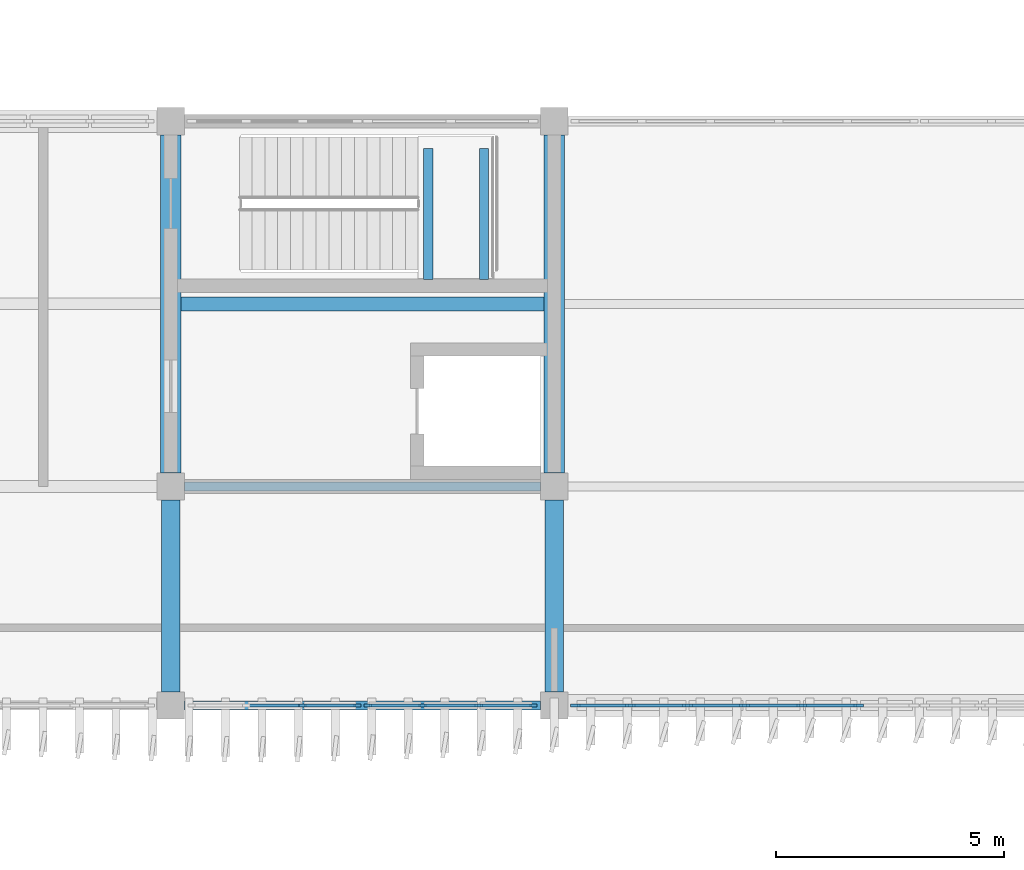
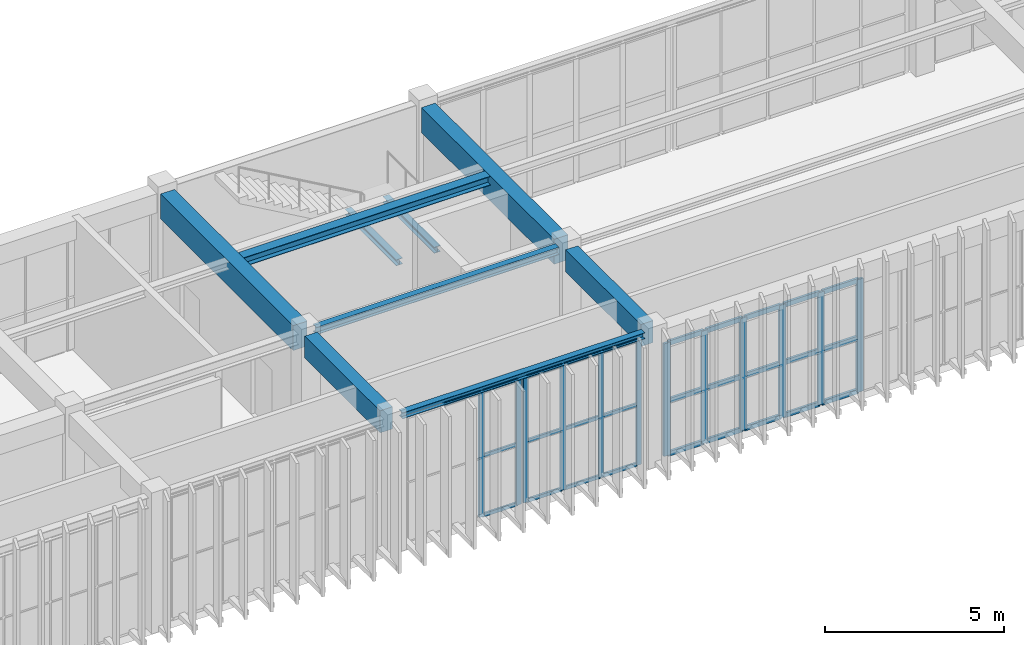
# One storey, part 13 of 64: 40 members, 9 beams, 3 elements without a shape of their own.
"""IFC4 building model written with IfcOpenShell, lengths in metres."""

from ifc_helpers import new_model, si_unit, direction, frame, origin, origin_2d, place, context, subcontext, project, spatial, rectangle, i_section, extrude, material, layer, layer_set, material_profile, profile_set, type_object, element, aggregate, save


model = new_model("IFC4")

# Units and contexts
model_context = context("Model", 3, precision=1e-05, world=origin(), true_north=direction((0.0, 1.0)))
body_context = subcontext(model_context, "Body", "Model", "MODEL_VIEW")
ifc_project = project(units=[si_unit("LENGTHUNIT", "METRE"), si_unit("AREAUNIT", "SQUARE_METRE"), si_unit("VOLUMEUNIT", "CUBIC_METRE"), si_unit("PLANEANGLEUNIT", "RADIAN"), si_unit("MASSUNIT", "GRAM", prefix="KILO")], contexts=[model_context])

# Site, building, storey
site_placement = place(None, origin())
site = spatial("IfcSite", under=ifc_project, at=site_placement, CompositionType="ELEMENT")
building_placement = place(site_placement, origin())
building = spatial("IfcBuilding", under=site, at=building_placement, Name="Cinchona Park Media Centre", CompositionType="ELEMENT")
storey_placement = place(building_placement, frame((0.0, 0.0, 5.39990234375)))
storey = spatial("IfcBuildingStorey", under=building, at=storey_placement, Name="L01", CompositionType="ELEMENT", Elevation=5.39990234375)

# Beams
ifc_material_1 = material(Name="Concrete C35/45", Category="concrete")
ifc_material_profile_1 = material_profile(ifc_material_1, rectangle(XDim=0.39990234375, YDim=0.75, at=origin_2d()), Name="RB 400X750")
ifc_profile_set_1 = profile_set([ifc_material_profile_1], Name="Concrete C35/45")
beam_type_1 = type_object("IfcBeamType", Name="BEAM-B01-RB400X750", PredefinedType="BEAM", material=ifc_profile_set_1)
for number, where, z_axis, x_axis, name in (
    (1, (86.39990234375, 75.10009765625, 4.1650390625), (0.0, 1.0, 0.0), (-1.0, 0.0, 0.0), "Girder B01 L01"),
    (2, (94.800048828125, 75.10009765625, 4.1650390625), (0.0, 1.0, 0.0), (-1.0, 0.0, 0.0), "Girder B01 L01"),
):
    element("IfcBeam", number, at=place(storey_placement, frame(where, z_axis=z_axis, x_axis=x_axis)), inside=storey, type_object=beam_type_1, Name=name, PredefinedType="BEAM", context=body_context, shape_type="SweptSolid", body=[
        extrude(rectangle(XDim=0.39990234375, YDim=0.75, at=origin_2d()), origin(), (0.0, 0.0, 1.0), 4.199951171875),
    ])
ifc_material_2 = material(Name="Concrete C35/45", Category="concrete")
ifc_material_profile_2 = material_profile(ifc_material_2, rectangle(XDim=0.449951171875, YDim=0.85009765625, at=origin_2d()), Name="RB 450X850")
ifc_profile_set_2 = profile_set([ifc_material_profile_2], Name="Concrete C35/45")
beam_type_2 = type_object("IfcBeamType", Name="BEAM-B02-RB450X850", PredefinedType="BEAM", material=ifc_profile_set_2)
for number, where, z_axis, x_axis, name in (
    (3, (86.39990234375, 79.89990234375, 4.114990234375), (0.0, 1.0, 0.0), (-1.0, 0.0, 0.0), "Girder B02 L01"),
    (4, (94.800048828125, 79.89990234375, 4.114990234375), (0.0, 1.0, 0.0), (-1.0, 0.0, 0.0), "Girder B02 L01"),
):
    element("IfcBeam", number, at=place(storey_placement, frame(where, z_axis=z_axis, x_axis=x_axis)), inside=storey, type_object=beam_type_2, Name=name, PredefinedType="BEAM", context=body_context, shape_type="SweptSolid", body=[
        extrude(rectangle(XDim=0.449951171875, YDim=0.85009765625, at=origin_2d()), origin(), (0.0, 0.0, 1.0), 7.400146484375),
    ])
ifc_material_3 = material(Name="Steel S355", Category="steel")
ifc_material_profile_3 = material_profile(ifc_material_3, i_section(OverallWidth=0.202880859375, OverallDepth=0.251953125, WebThickness=0.008056640625, FlangeThickness=0.013427734375, at=origin_2d()), Name="W250X58")
ifc_profile_set_3 = profile_set([ifc_material_profile_3], Name="Steel S355")
beam_type_3 = type_object("IfcBeamType", Name="BEAM-B09-W250X58", PredefinedType="BEAM", material=ifc_profile_set_3)
beam_1_placement = place(storey_placement, frame((86.699951171875, 79.60009765625, 4.4140625), z_axis=(1.0, 0.0, 0.0), x_axis=(0.0, 1.0, 0.0)))
element("IfcBeam", 5, at=beam_1_placement, inside=storey, type_object=beam_type_3, Name="Beam B09 L01", PredefinedType="BEAM", context=body_context, shape_type="SweptSolid", body=[
    extrude(i_section(OverallWidth=0.202880859375, OverallDepth=0.251953125, WebThickness=0.008056640625, FlangeThickness=0.013427734375, at=origin_2d()), origin(), (0.0, 0.0, 1.0), 7.800048828125),
])
ifc_material_4 = material(Name="Steel S355", Category="steel")
ifc_material_profile_4 = material_profile(ifc_material_4, i_section(OverallWidth=0.202880859375, OverallDepth=0.202880859375, WebThickness=0.007080078125, FlangeThickness=0.010986328125, at=origin_2d()), Name="W200X46")
ifc_profile_set_4 = profile_set([ifc_material_profile_4], Name="Steel S355")
beam_type_4 = type_object("IfcBeamType", Name="BEAM-B10-W200X46", PredefinedType="BEAM", material=ifc_profile_set_4)
beam_2_placement = place(storey_placement, frame((86.699951171875, 74.800048828125, 4.4384765625), z_axis=(1.0, 0.0, 0.0), x_axis=(0.0, 1.0, 0.0)))
element("IfcBeam", 6, at=beam_2_placement, inside=storey, type_object=beam_type_4, Name="Beam B10 L01", PredefinedType="BEAM", context=body_context, shape_type="SweptSolid", body=[
    extrude(i_section(OverallWidth=0.202880859375, OverallDepth=0.202880859375, WebThickness=0.007080078125, FlangeThickness=0.010986328125, at=origin_2d()), origin(), (0.0, 0.0, 1.0), 7.800048828125),
])
for number, where, z_axis, x_axis, name in (
    (7, (92.0400390625, 84.1298828125, 2.093505859375), (0.0, 1.0, 0.0), (-1.0, 0.0, 0.0), "Stair Landing Bearer Beam B10 ST5 L01"),
    (8, (93.260009765625, 84.1298828125, 2.093505859375), (0.0, 1.0, 0.0), (-1.0, 0.0, 0.0), "Stair Landing Bearer Beam B10 ST5 L01"),
):
    element("IfcBeam", number, at=place(storey_placement, frame(where, z_axis=z_axis, x_axis=x_axis)), inside=storey, type_object=beam_type_4, Name=name, PredefinedType="BEAM", context=body_context, shape_type="SweptSolid", body=[
        extrude(i_section(OverallWidth=0.202880859375, OverallDepth=0.202880859375, WebThickness=0.007080078125, FlangeThickness=0.010986328125, at=origin_2d()), origin(), (0.0, 0.0, 1.0), 2.8701171875),
    ])
ifc_material_5 = material(Name="Steel S355", Category="steel")
ifc_material_profile_5 = material_profile(ifc_material_5, i_section(OverallWidth=0.304931640625, OverallDepth=0.30810546875, WebThickness=0.010009765625, FlangeThickness=0.015380859375, at=origin_2d()), Name="W310X97")
ifc_profile_set_5 = profile_set([ifc_material_profile_5], Name="Steel S355")
beam_type_5 = type_object("IfcBeamType", Name="BEAM-J02-W310X97", PredefinedType="JOIST", material=ifc_profile_set_5)
beam_3_placement = place(storey_placement, frame((86.625, 83.60009765625, 4.385986328125), z_axis=(1.0, 0.0, 0.0), x_axis=(0.0, 1.0, 0.0)))
element("IfcBeam", 9, at=beam_3_placement, inside=storey, type_object=beam_type_5, Name="Floor Joist J02 L01", PredefinedType="JOIST", context=body_context, shape_type="SweptSolid", body=[
    extrude(i_section(OverallWidth=0.304931640625, OverallDepth=0.30810546875, WebThickness=0.010009765625, FlangeThickness=0.015380859375, at=origin_2d()), origin(), (0.0, 0.0, 1.0), 7.949951171875),
])

# Curtain wall, members
ifc_material_6 = material(Name="Aluminium Curtain Wall Framing", Category="aluminium")
ifc_layer_1 = layer(ifc_material_6, 0.179931640625)
ifc_layer_set_1 = layer_set([ifc_layer_1], Name="Aluminium Curtain Wall Framing")
curtain_wall_type_1 = type_object("IfcCurtainWallType", Name="CW-CW01", PredefinedType="USERDEFINED", material=ifc_layer_set_1)
curtain_wall_1_placement = place(storey_placement, origin())
curtain_wall_1 = element("IfcCurtainWall", 10, at=curtain_wall_1_placement, inside=storey, type_object=curtain_wall_type_1, Name="Curtain Wall CW01 L01", ObjectType="UNITISED CURTAIN WALL", PredefinedType="USERDEFINED")
ifc_material_7 = material(Name="Anodised Aluminium Alloy 6063-T6", Category="aluminium")
ifc_material_profile_6 = material_profile(ifc_material_7, rectangle(XDim=0.06494140625, YDim=0.159912109375, at=origin_2d()), Name="MUL-65X160")
ifc_profile_set_6 = profile_set([ifc_material_profile_6], Name="Anodised Aluminium Alloy 6063-T6")
member_type_1 = type_object("IfcMemberType", Name="MULLION-MUL01", PredefinedType="MULLION", material=ifc_profile_set_6)
member_1_placement = place(storey_placement, frame((94.347412109375, 74.800048828125, 0.050048828125), z_axis=(0.0, 0.0, 1.0), x_axis=(0.0, -1.0, 0.0)))
member_1 = element("IfcMember", 11, at=member_1_placement, type_object=member_type_1, Name="CW01 mullion 1", PredefinedType="MULLION", context=body_context, shape_type="SweptSolid", body=[
    extrude(rectangle(XDim=0.06494140625, YDim=0.159912109375, at=origin_2d()), origin(), (0.0, 0.0, 1.0), 4.287109375),
])
member_2_placement = place(storey_placement, frame((93.146728515625, 74.800048828125, 0.050048828125), z_axis=(0.0, 0.0, 1.0), x_axis=(0.0, -1.0, 0.0)))
member_2 = element("IfcMember", 12, at=member_2_placement, type_object=member_type_1, Name="CW01 mullion 2", PredefinedType="MULLION", context=body_context, shape_type="SweptSolid", body=[
    extrude(rectangle(XDim=0.06494140625, YDim=0.159912109375, at=origin_2d()), origin(), (0.0, 0.0, 1.0), 4.287109375),
])
member_3_placement = place(storey_placement, frame((91.913330078125, 74.800048828125, 0.050048828125), z_axis=(0.0, 0.0, 1.0), x_axis=(0.0, -1.0, 0.0)))
member_3 = element("IfcMember", 13, at=member_3_placement, type_object=member_type_1, Name="CW01 mullion 3", PredefinedType="MULLION", context=body_context, shape_type="SweptSolid", body=[
    extrude(rectangle(XDim=0.06494140625, YDim=0.159912109375, at=origin_2d()), origin(), (0.0, 0.0, 1.0), 4.287109375),
])
member_4_placement = place(storey_placement, frame((90.71240234375, 74.800048828125, 0.050048828125), z_axis=(0.0, 0.0, 1.0), x_axis=(0.0, -1.0, 0.0)))
member_4 = element("IfcMember", 14, at=member_4_placement, type_object=member_type_1, Name="CW01 mullion 4", PredefinedType="MULLION", context=body_context, shape_type="SweptSolid", body=[
    extrude(rectangle(XDim=0.06494140625, YDim=0.159912109375, at=origin_2d()), origin(), (0.0, 0.0, 1.0), 4.287109375),
])

ifc_material_8 = material(Name="Aluminium Curtain Wall Framing", Category="aluminium")
ifc_layer_2 = layer(ifc_material_8, 0.195068359375)
ifc_layer_set_2 = layer_set([ifc_layer_2], Name="Aluminium Curtain Wall Framing")
curtain_wall_type_2 = type_object("IfcCurtainWallType", Name="CW-CW02", PredefinedType="USERDEFINED", material=ifc_layer_set_2)
curtain_wall_2_placement = place(storey_placement, origin())
curtain_wall_2 = element("IfcCurtainWall", 15, at=curtain_wall_2_placement, inside=storey, type_object=curtain_wall_type_2, Name="Curtain Wall CW02 L01", ObjectType="UNITISED CURTAIN WALL", PredefinedType="USERDEFINED")
member_5_placement = place(storey_placement, frame((90.487548828125, 74.800048828125, 0.050048828125), z_axis=(0.0, 0.0, 1.0), x_axis=(0.0, -1.0, 0.0)))
member_5 = element("IfcMember", 16, at=member_5_placement, type_object=member_type_1, Name="CW02 mullion 1", PredefinedType="MULLION", context=body_context, shape_type="SweptSolid", body=[
    extrude(rectangle(XDim=0.06494140625, YDim=0.159912109375, at=origin_2d()), origin(), (0.0, 0.0, 1.0), 4.287109375),
])
member_6_placement = place(storey_placement, frame((89.28662109375, 74.800048828125, 0.050048828125), z_axis=(0.0, 0.0, 1.0), x_axis=(0.0, -1.0, 0.0)))
member_6 = element("IfcMember", 17, at=member_6_placement, type_object=member_type_1, Name="CW02 mullion 2", PredefinedType="MULLION", context=body_context, shape_type="SweptSolid", body=[
    extrude(rectangle(XDim=0.06494140625, YDim=0.159912109375, at=origin_2d()), origin(), (0.0, 0.0, 1.0), 4.287109375),
])

ifc_material_9 = material(Name="Aluminium Curtain Wall Framing", Category="aluminium")
ifc_layer_3 = layer(ifc_material_9, 0.22509765625)
ifc_layer_set_3 = layer_set([ifc_layer_3], Name="Aluminium Curtain Wall Framing")
curtain_wall_type_3 = type_object("IfcCurtainWallType", Name="CW-CW04", PredefinedType="USERDEFINED", material=ifc_layer_set_3)
curtain_wall_3_placement = place(storey_placement, origin())
curtain_wall_3 = element("IfcCurtainWall", 18, at=curtain_wall_3_placement, inside=storey, type_object=curtain_wall_type_3, Name="Curtain Wall CW04 L01", ObjectType="UNITISED CURTAIN WALL", PredefinedType="USERDEFINED")
ifc_material_10 = material(Name="Anodised Aluminium Alloy 6063-T6", Category="aluminium")
ifc_material_profile_7 = material_profile(ifc_material_10, rectangle(XDim=0.074951171875, YDim=0.2099609375, at=origin_2d()), Name="MUL-75X210")
ifc_profile_set_7 = profile_set([ifc_material_profile_7], Name="Anodised Aluminium Alloy 6063-T6")
member_type_2 = type_object("IfcMemberType", Name="MULLION-MUL03", PredefinedType="MULLION", material=ifc_profile_set_7)
member_7_placement = place(storey_placement, frame((101.469970703125, 74.800048828125, 0.050048828125), z_axis=(0.0, 0.0, 1.0), x_axis=(0.0, -1.0, 0.0)))
member_7 = element("IfcMember", 19, at=member_7_placement, type_object=member_type_2, Name="CW04 mullion 2", PredefinedType="MULLION", context=body_context, shape_type="SweptSolid", body=[
    extrude(rectangle(XDim=0.074951171875, YDim=0.2099609375, at=origin_2d()), origin(), (0.0, 0.0, 1.0), 3.840087890625),
])
member_8_placement = place(storey_placement, frame((100.219970703125, 74.800048828125, 0.050048828125), z_axis=(0.0, 0.0, 1.0), x_axis=(0.0, -1.0, 0.0)))
member_8 = element("IfcMember", 20, at=member_8_placement, type_object=member_type_2, Name="CW04 mullion 3", PredefinedType="MULLION", context=body_context, shape_type="SweptSolid", body=[
    extrude(rectangle(XDim=0.074951171875, YDim=0.2099609375, at=origin_2d()), origin(), (0.0, 0.0, 1.0), 3.840087890625),
])
member_9_placement = place(storey_placement, frame((98.969970703125, 74.800048828125, 0.050048828125), z_axis=(0.0, 0.0, 1.0), x_axis=(0.0, -1.0, 0.0)))
member_9 = element("IfcMember", 21, at=member_9_placement, type_object=member_type_2, Name="CW04 mullion 4", PredefinedType="MULLION", context=body_context, shape_type="SweptSolid", body=[
    extrude(rectangle(XDim=0.074951171875, YDim=0.2099609375, at=origin_2d()), origin(), (0.0, 0.0, 1.0), 3.840087890625),
])
member_10_placement = place(storey_placement, frame((97.719970703125, 74.800048828125, 0.050048828125), z_axis=(0.0, 0.0, 1.0), x_axis=(0.0, -1.0, 0.0)))
member_10 = element("IfcMember", 22, at=member_10_placement, type_object=member_type_2, Name="CW04 mullion 5", PredefinedType="MULLION", context=body_context, shape_type="SweptSolid", body=[
    extrude(rectangle(XDim=0.074951171875, YDim=0.2099609375, at=origin_2d()), origin(), (0.0, 0.0, 1.0), 3.840087890625),
])
member_11_placement = place(storey_placement, frame((96.469970703125, 74.800048828125, 0.050048828125), z_axis=(0.0, 0.0, 1.0), x_axis=(0.0, -1.0, 0.0)))
member_11 = element("IfcMember", 23, at=member_11_placement, type_object=member_type_2, Name="CW04 mullion 6", PredefinedType="MULLION", context=body_context, shape_type="SweptSolid", body=[
    extrude(rectangle(XDim=0.074951171875, YDim=0.2099609375, at=origin_2d()), origin(), (0.0, 0.0, 1.0), 3.840087890625),
])
member_12_placement = place(storey_placement, frame((95.257568359375, 74.800048828125, 0.050048828125), z_axis=(0.0, 0.0, 1.0), x_axis=(0.0, -1.0, 0.0)))
member_12 = element("IfcMember", 24, at=member_12_placement, type_object=member_type_2, Name="CW04 mullion 7", PredefinedType="MULLION", context=body_context, shape_type="SweptSolid", body=[
    extrude(rectangle(XDim=0.074951171875, YDim=0.2099609375, at=origin_2d()), origin(), (0.0, 0.0, 1.0), 3.840087890625),
])

# Member
ifc_material_11 = material(Name="Anodised Aluminium Alloy 6063-T6", Category="aluminium")
ifc_material_profile_8 = material_profile(ifc_material_11, rectangle(XDim=0.06494140625, YDim=0.1201171875, at=origin_2d()), Name="TRN-65X120")
ifc_profile_set_8 = profile_set([ifc_material_profile_8], Name="Anodised Aluminium Alloy 6063-T6")
member_type_3 = type_object("IfcMemberType", Name="TRANSOM-TRN01", PredefinedType="USERDEFINED", material=ifc_profile_set_8)
member_13_placement = place(storey_placement, frame((94.31494140625, 74.800048828125, 0.08251953125), z_axis=(-1.0, 0.0, 0.0), x_axis=(0.0, -1.0, 0.0)))
member_13 = element("IfcMember", 25, at=member_13_placement, type_object=member_type_3, Name="CW01 transom 1.1", ObjectType="TRANSOM", PredefinedType="USERDEFINED", context=body_context, shape_type="SweptSolid", body=[
    extrude(rectangle(XDim=0.06494140625, YDim=0.1201171875, at=origin_2d()), origin(), (0.0, 0.0, 1.0), 1.1357421875),
])

member_14_placement = place(storey_placement, frame((94.31494140625, 74.800048828125, 2.108154296875), z_axis=(-1.0, 0.0, 0.0), x_axis=(0.0, -1.0, 0.0)))
member_14 = element("IfcMember", 26, at=member_14_placement, type_object=member_type_3, Name="CW01 transom 1.2", ObjectType="TRANSOM", PredefinedType="USERDEFINED", context=body_context, shape_type="SweptSolid", body=[
    extrude(rectangle(XDim=0.06494140625, YDim=0.1201171875, at=origin_2d()), origin(), (0.0, 0.0, 1.0), 1.1357421875),
])

member_15_placement = place(storey_placement, frame((94.31494140625, 74.800048828125, 4.3046875), z_axis=(-1.0, 0.0, 0.0), x_axis=(0.0, -1.0, 0.0)))
member_15 = element("IfcMember", 27, at=member_15_placement, type_object=member_type_3, Name="CW01 transom 1.3", ObjectType="TRANSOM", PredefinedType="USERDEFINED", context=body_context, shape_type="SweptSolid", body=[
    extrude(rectangle(XDim=0.06494140625, YDim=0.1201171875, at=origin_2d()), origin(), (0.0, 0.0, 1.0), 1.1357421875),
])

member_16_placement = place(storey_placement, frame((93.1142578125, 74.800048828125, 0.08251953125), z_axis=(-1.0, 0.0, 0.0), x_axis=(0.0, -1.0, 0.0)))
member_16 = element("IfcMember", 28, at=member_16_placement, type_object=member_type_3, Name="CW01 transom 2.1", ObjectType="TRANSOM", PredefinedType="USERDEFINED", context=body_context, shape_type="SweptSolid", body=[
    extrude(rectangle(XDim=0.06494140625, YDim=0.1201171875, at=origin_2d()), origin(), (0.0, 0.0, 1.0), 1.16845703125),
])

member_17_placement = place(storey_placement, frame((93.1142578125, 74.800048828125, 2.108154296875), z_axis=(-1.0, 0.0, 0.0), x_axis=(0.0, -1.0, 0.0)))
member_17 = element("IfcMember", 29, at=member_17_placement, type_object=member_type_3, Name="CW01 transom 2.2", ObjectType="TRANSOM", PredefinedType="USERDEFINED", context=body_context, shape_type="SweptSolid", body=[
    extrude(rectangle(XDim=0.06494140625, YDim=0.1201171875, at=origin_2d()), origin(), (0.0, 0.0, 1.0), 1.16845703125),
])

member_18_placement = place(storey_placement, frame((93.1142578125, 74.800048828125, 4.3046875), z_axis=(-1.0, 0.0, 0.0), x_axis=(0.0, -1.0, 0.0)))
member_18 = element("IfcMember", 30, at=member_18_placement, type_object=member_type_3, Name="CW01 transom 2.3", ObjectType="TRANSOM", PredefinedType="USERDEFINED", context=body_context, shape_type="SweptSolid", body=[
    extrude(rectangle(XDim=0.06494140625, YDim=0.1201171875, at=origin_2d()), origin(), (0.0, 0.0, 1.0), 1.16845703125),
])

member_19_placement = place(storey_placement, frame((91.880859375, 74.800048828125, 0.08251953125), z_axis=(-1.0, 0.0, 0.0), x_axis=(0.0, -1.0, 0.0)))
member_19 = element("IfcMember", 31, at=member_19_placement, type_object=member_type_3, Name="CW01 transom 3.1", ObjectType="TRANSOM", PredefinedType="USERDEFINED", context=body_context, shape_type="SweptSolid", body=[
    extrude(rectangle(XDim=0.06494140625, YDim=0.1201171875, at=origin_2d()), origin(), (0.0, 0.0, 1.0), 1.1357421875),
])

member_20_placement = place(storey_placement, frame((91.880859375, 74.800048828125, 2.108154296875), z_axis=(-1.0, 0.0, 0.0), x_axis=(0.0, -1.0, 0.0)))
member_20 = element("IfcMember", 32, at=member_20_placement, type_object=member_type_3, Name="CW01 transom 3.2", ObjectType="TRANSOM", PredefinedType="USERDEFINED", context=body_context, shape_type="SweptSolid", body=[
    extrude(rectangle(XDim=0.06494140625, YDim=0.1201171875, at=origin_2d()), origin(), (0.0, 0.0, 1.0), 1.1357421875),
])

member_21_placement = place(storey_placement, frame((91.880859375, 74.800048828125, 4.3046875), z_axis=(-1.0, 0.0, 0.0), x_axis=(0.0, -1.0, 0.0)))
member_21 = element("IfcMember", 33, at=member_21_placement, type_object=member_type_3, Name="CW01 transom 3.3", ObjectType="TRANSOM", PredefinedType="USERDEFINED", context=body_context, shape_type="SweptSolid", body=[
    extrude(rectangle(XDim=0.06494140625, YDim=0.1201171875, at=origin_2d()), origin(), (0.0, 0.0, 1.0), 1.1357421875),
])

aggregate(curtain_wall_1, [member_1, member_2, member_3, member_4, member_13, member_14, member_15, member_16, member_17, member_18, member_19, member_20, member_21])

member_22_placement = place(storey_placement, frame((90.455078125, 74.800048828125, 0.08251953125), z_axis=(-1.0, 0.0, 0.0), x_axis=(0.0, -1.0, 0.0)))
member_22 = element("IfcMember", 34, at=member_22_placement, type_object=member_type_3, Name="CW02 transom 1.1", ObjectType="TRANSOM", PredefinedType="USERDEFINED", context=body_context, shape_type="SweptSolid", body=[
    extrude(rectangle(XDim=0.06494140625, YDim=0.1201171875, at=origin_2d()), origin(), (0.0, 0.0, 1.0), 1.135986328125),
])

member_23_placement = place(storey_placement, frame((90.455078125, 74.800048828125, 2.108154296875), z_axis=(-1.0, 0.0, 0.0), x_axis=(0.0, -1.0, 0.0)))
member_23 = element("IfcMember", 35, at=member_23_placement, type_object=member_type_3, Name="CW02 transom 1.2", ObjectType="TRANSOM", PredefinedType="USERDEFINED", context=body_context, shape_type="SweptSolid", body=[
    extrude(rectangle(XDim=0.06494140625, YDim=0.1201171875, at=origin_2d()), origin(), (0.0, 0.0, 1.0), 1.135986328125),
])

member_24_placement = place(storey_placement, frame((90.455078125, 74.800048828125, 4.3046875), z_axis=(-1.0, 0.0, 0.0), x_axis=(0.0, -1.0, 0.0)))
member_24 = element("IfcMember", 36, at=member_24_placement, type_object=member_type_3, Name="CW02 transom 1.3", ObjectType="TRANSOM", PredefinedType="USERDEFINED", context=body_context, shape_type="SweptSolid", body=[
    extrude(rectangle(XDim=0.06494140625, YDim=0.1201171875, at=origin_2d()), origin(), (0.0, 0.0, 1.0), 1.135986328125),
])

member_25_placement = place(storey_placement, frame((89.254150390625, 74.800048828125, 4.3046875), z_axis=(-1.0, 0.0, 0.0), x_axis=(0.0, -1.0, 0.0)))
member_25 = element("IfcMember", 37, at=member_25_placement, type_object=member_type_3, Name="CW02 transom 2.3", ObjectType="TRANSOM", PredefinedType="USERDEFINED", context=body_context, shape_type="SweptSolid", body=[
    extrude(rectangle(XDim=0.06494140625, YDim=0.1201171875, at=origin_2d()), origin(), (0.0, 0.0, 1.0), 1.168212890625),
])

aggregate(curtain_wall_2, [member_5, member_6, member_22, member_23, member_24, member_25])

ifc_material_12 = material(Name="Anodised Aluminium Alloy 6063-T6", Category="aluminium")
ifc_material_profile_9 = material_profile(ifc_material_12, rectangle(XDim=0.074951171875, YDim=0.159912109375, at=origin_2d()), Name="TRN-75X160")
ifc_profile_set_9 = profile_set([ifc_material_profile_9], Name="Anodised Aluminium Alloy 6063-T6")
member_type_4 = type_object("IfcMemberType", Name="TRANSOM-TRN03", PredefinedType="USERDEFINED", material=ifc_profile_set_9)
member_26_placement = place(storey_placement, frame((101.4326171875, 74.800048828125, 0.087646484375), z_axis=(-1.0, 0.0, 0.0), x_axis=(0.0, -1.0, 0.0)))
member_26 = element("IfcMember", 38, at=member_26_placement, type_object=member_type_4, Name="CW04 transom 2.1", ObjectType="TRANSOM", PredefinedType="USERDEFINED", context=body_context, shape_type="SweptSolid", body=[
    extrude(rectangle(XDim=0.074951171875, YDim=0.159912109375, at=origin_2d()), origin(), (0.0, 0.0, 1.0), 1.175048828125),
])

member_27_placement = place(storey_placement, frame((101.4326171875, 74.800048828125, 1.89306640625), z_axis=(-1.0, 0.0, 0.0), x_axis=(0.0, -1.0, 0.0)))
member_27 = element("IfcMember", 39, at=member_27_placement, type_object=member_type_4, Name="CW04 transom 2.2", ObjectType="TRANSOM", PredefinedType="USERDEFINED", context=body_context, shape_type="SweptSolid", body=[
    extrude(rectangle(XDim=0.074951171875, YDim=0.159912109375, at=origin_2d()), origin(), (0.0, 0.0, 1.0), 1.175048828125),
])

member_28_placement = place(storey_placement, frame((101.4326171875, 74.800048828125, 3.8525390625), z_axis=(-1.0, 0.0, 0.0), x_axis=(0.0, -1.0, 0.0)))
member_28 = element("IfcMember", 40, at=member_28_placement, type_object=member_type_4, Name="CW04 transom 2.3", ObjectType="TRANSOM", PredefinedType="USERDEFINED", context=body_context, shape_type="SweptSolid", body=[
    extrude(rectangle(XDim=0.074951171875, YDim=0.159912109375, at=origin_2d()), origin(), (0.0, 0.0, 1.0), 1.175048828125),
])

member_29_placement = place(storey_placement, frame((100.1826171875, 74.800048828125, 0.087646484375), z_axis=(-1.0, 0.0, 0.0), x_axis=(0.0, -1.0, 0.0)))
member_29 = element("IfcMember", 41, at=member_29_placement, type_object=member_type_4, Name="CW04 transom 3.1", ObjectType="TRANSOM", PredefinedType="USERDEFINED", context=body_context, shape_type="SweptSolid", body=[
    extrude(rectangle(XDim=0.074951171875, YDim=0.159912109375, at=origin_2d()), origin(), (0.0, 0.0, 1.0), 1.175048828125),
])

member_30_placement = place(storey_placement, frame((100.1826171875, 74.800048828125, 1.89306640625), z_axis=(-1.0, 0.0, 0.0), x_axis=(0.0, -1.0, 0.0)))
member_30 = element("IfcMember", 42, at=member_30_placement, type_object=member_type_4, Name="CW04 transom 3.2", ObjectType="TRANSOM", PredefinedType="USERDEFINED", context=body_context, shape_type="SweptSolid", body=[
    extrude(rectangle(XDim=0.074951171875, YDim=0.159912109375, at=origin_2d()), origin(), (0.0, 0.0, 1.0), 1.175048828125),
])

member_31_placement = place(storey_placement, frame((100.1826171875, 74.800048828125, 3.8525390625), z_axis=(-1.0, 0.0, 0.0), x_axis=(0.0, -1.0, 0.0)))
member_31 = element("IfcMember", 43, at=member_31_placement, type_object=member_type_4, Name="CW04 transom 3.3", ObjectType="TRANSOM", PredefinedType="USERDEFINED", context=body_context, shape_type="SweptSolid", body=[
    extrude(rectangle(XDim=0.074951171875, YDim=0.159912109375, at=origin_2d()), origin(), (0.0, 0.0, 1.0), 1.175048828125),
])

member_32_placement = place(storey_placement, frame((98.9326171875, 74.800048828125, 0.087646484375), z_axis=(-1.0, 0.0, 0.0), x_axis=(0.0, -1.0, 0.0)))
member_32 = element("IfcMember", 44, at=member_32_placement, type_object=member_type_4, Name="CW04 transom 4.1", ObjectType="TRANSOM", PredefinedType="USERDEFINED", context=body_context, shape_type="SweptSolid", body=[
    extrude(rectangle(XDim=0.074951171875, YDim=0.159912109375, at=origin_2d()), origin(), (0.0, 0.0, 1.0), 1.175048828125),
])

member_33_placement = place(storey_placement, frame((98.9326171875, 74.800048828125, 1.89306640625), z_axis=(-1.0, 0.0, 0.0), x_axis=(0.0, -1.0, 0.0)))
member_33 = element("IfcMember", 45, at=member_33_placement, type_object=member_type_4, Name="CW04 transom 4.2", ObjectType="TRANSOM", PredefinedType="USERDEFINED", context=body_context, shape_type="SweptSolid", body=[
    extrude(rectangle(XDim=0.074951171875, YDim=0.159912109375, at=origin_2d()), origin(), (0.0, 0.0, 1.0), 1.175048828125),
])

member_34_placement = place(storey_placement, frame((98.9326171875, 74.800048828125, 3.8525390625), z_axis=(-1.0, 0.0, 0.0), x_axis=(0.0, -1.0, 0.0)))
member_34 = element("IfcMember", 46, at=member_34_placement, type_object=member_type_4, Name="CW04 transom 4.3", ObjectType="TRANSOM", PredefinedType="USERDEFINED", context=body_context, shape_type="SweptSolid", body=[
    extrude(rectangle(XDim=0.074951171875, YDim=0.159912109375, at=origin_2d()), origin(), (0.0, 0.0, 1.0), 1.175048828125),
])

member_35_placement = place(storey_placement, frame((97.6826171875, 74.800048828125, 0.087646484375), z_axis=(-1.0, 0.0, 0.0), x_axis=(0.0, -1.0, 0.0)))
member_35 = element("IfcMember", 47, at=member_35_placement, type_object=member_type_4, Name="CW04 transom 5.1", ObjectType="TRANSOM", PredefinedType="USERDEFINED", context=body_context, shape_type="SweptSolid", body=[
    extrude(rectangle(XDim=0.074951171875, YDim=0.159912109375, at=origin_2d()), origin(), (0.0, 0.0, 1.0), 1.175048828125),
])

member_36_placement = place(storey_placement, frame((97.6826171875, 74.800048828125, 1.89306640625), z_axis=(-1.0, 0.0, 0.0), x_axis=(0.0, -1.0, 0.0)))
member_36 = element("IfcMember", 48, at=member_36_placement, type_object=member_type_4, Name="CW04 transom 5.2", ObjectType="TRANSOM", PredefinedType="USERDEFINED", context=body_context, shape_type="SweptSolid", body=[
    extrude(rectangle(XDim=0.074951171875, YDim=0.159912109375, at=origin_2d()), origin(), (0.0, 0.0, 1.0), 1.175048828125),
])

member_37_placement = place(storey_placement, frame((97.6826171875, 74.800048828125, 3.8525390625), z_axis=(-1.0, 0.0, 0.0), x_axis=(0.0, -1.0, 0.0)))
member_37 = element("IfcMember", 49, at=member_37_placement, type_object=member_type_4, Name="CW04 transom 5.3", ObjectType="TRANSOM", PredefinedType="USERDEFINED", context=body_context, shape_type="SweptSolid", body=[
    extrude(rectangle(XDim=0.074951171875, YDim=0.159912109375, at=origin_2d()), origin(), (0.0, 0.0, 1.0), 1.175048828125),
])

member_38_placement = place(storey_placement, frame((96.4326171875, 74.800048828125, 0.087646484375), z_axis=(-1.0, 0.0, 0.0), x_axis=(0.0, -1.0, 0.0)))
member_38 = element("IfcMember", 50, at=member_38_placement, type_object=member_type_4, Name="CW04 transom 6.1", ObjectType="TRANSOM", PredefinedType="USERDEFINED", context=body_context, shape_type="SweptSolid", body=[
    extrude(rectangle(XDim=0.074951171875, YDim=0.159912109375, at=origin_2d()), origin(), (0.0, 0.0, 1.0), 1.1376953125),
])

member_39_placement = place(storey_placement, frame((96.4326171875, 74.800048828125, 1.89306640625), z_axis=(-1.0, 0.0, 0.0), x_axis=(0.0, -1.0, 0.0)))
member_39 = element("IfcMember", 51, at=member_39_placement, type_object=member_type_4, Name="CW04 transom 6.2", ObjectType="TRANSOM", PredefinedType="USERDEFINED", context=body_context, shape_type="SweptSolid", body=[
    extrude(rectangle(XDim=0.074951171875, YDim=0.159912109375, at=origin_2d()), origin(), (0.0, 0.0, 1.0), 1.1376953125),
])

member_40_placement = place(storey_placement, frame((96.4326171875, 74.800048828125, 3.8525390625), z_axis=(-1.0, 0.0, 0.0), x_axis=(0.0, -1.0, 0.0)))
member_40 = element("IfcMember", 52, at=member_40_placement, type_object=member_type_4, Name="CW04 transom 6.3", ObjectType="TRANSOM", PredefinedType="USERDEFINED", context=body_context, shape_type="SweptSolid", body=[
    extrude(rectangle(XDim=0.074951171875, YDim=0.159912109375, at=origin_2d()), origin(), (0.0, 0.0, 1.0), 1.1376953125),
])

aggregate(curtain_wall_3, [member_7, member_8, member_9, member_10, member_11, member_12, member_26, member_27, member_28, member_29, member_30, member_31, member_32, member_33, member_34, member_35, member_36, member_37, member_38, member_39, member_40])

save(model, "model.ifc")
